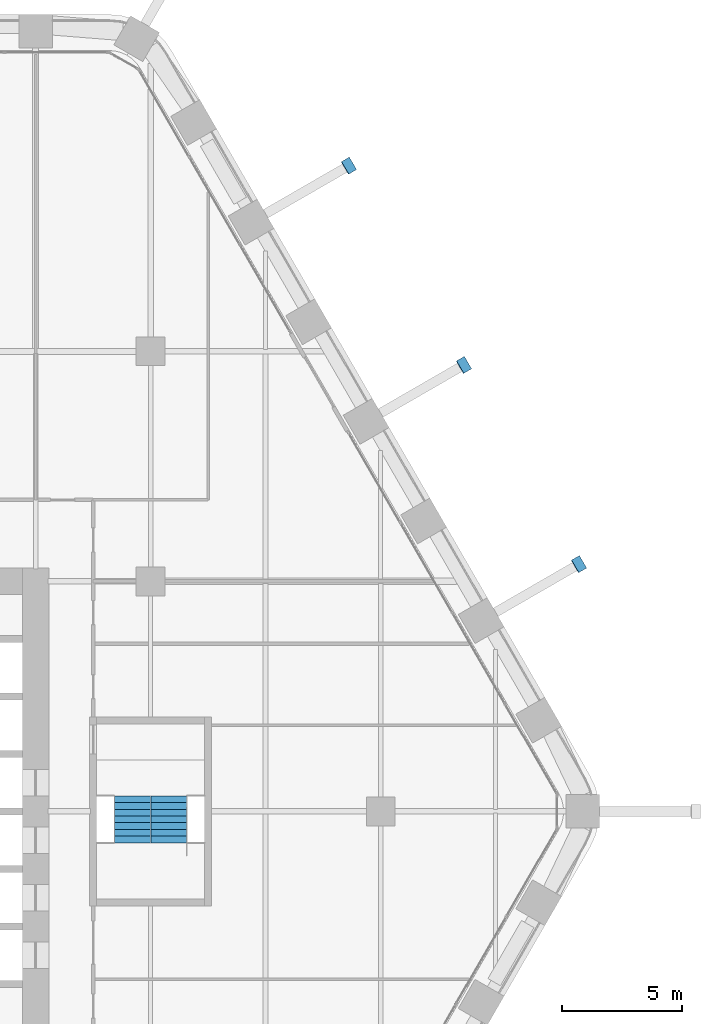
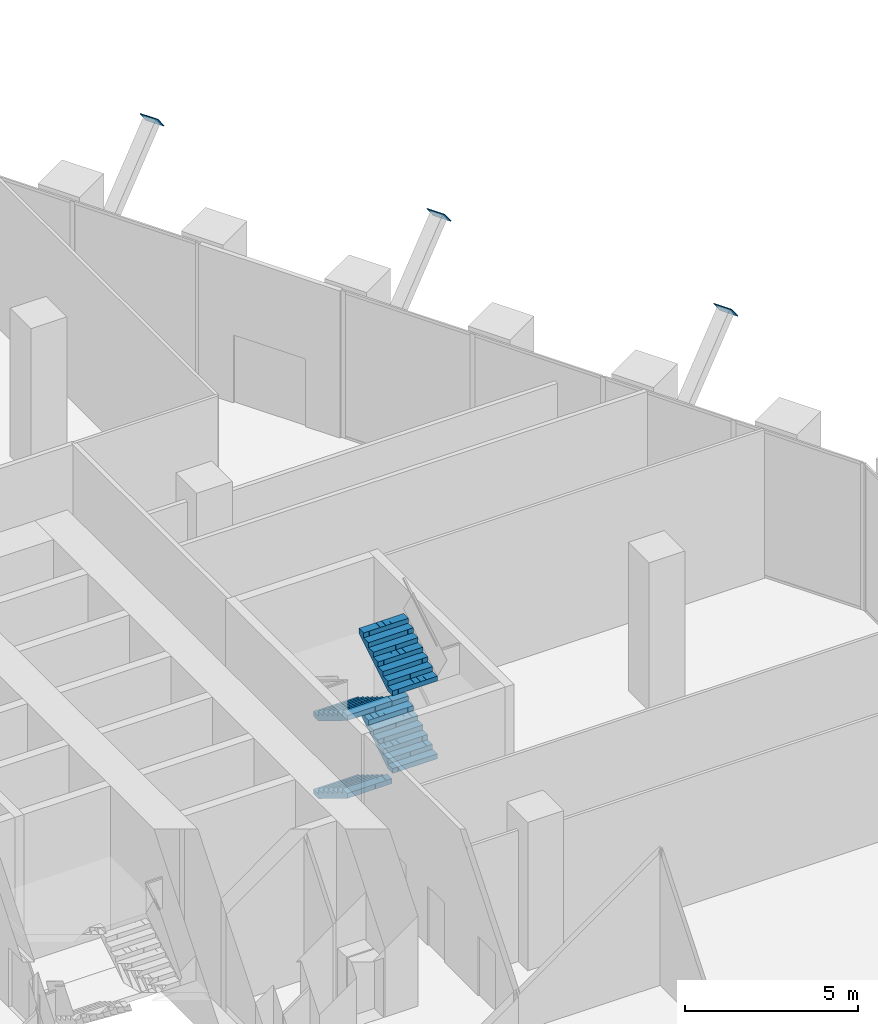
# One storey, part 25 of 29: 4 stair flights, 3 discrete accessories, 1 element without a shape of its own.
"""IFC4 building model written with IfcOpenShell, lengths in metres."""

from ifc_helpers import new_model, si_unit, direction, frame, origin, origin_2d, place, context, subcontext, project, spatial, polyline, rectangle, outline, extrude, material, type_object, element, aggregate, save


model = new_model("IFC4")

# Units and contexts
model_context = context("Model", 3, precision=1e-05, world=origin(), true_north=direction((0.0, 1.0)))
body_context = subcontext(model_context, "Body", "Model", "MODEL_VIEW")
ifc_project = project(units=[si_unit("LENGTHUNIT", "METRE"), si_unit("AREAUNIT", "SQUARE_METRE"), si_unit("VOLUMEUNIT", "CUBIC_METRE"), si_unit("PLANEANGLEUNIT", "RADIAN"), si_unit("MASSUNIT", "GRAM", prefix="KILO")], contexts=[model_context])

# Site, building, storey
site_placement = place(None, origin())
site = spatial("IfcSite", under=ifc_project, at=site_placement, CompositionType="ELEMENT")
building_placement = place(site_placement, origin())
building = spatial("IfcBuilding", under=site, at=building_placement, Name="Kolab Exchange Tower", CompositionType="ELEMENT")
storey_placement = place(building_placement, frame((0.0, 0.0, 33.39990234375)))
storey = spatial("IfcBuildingStorey", under=building, at=storey_placement, Name="L06", CompositionType="ELEMENT", Elevation=33.39990234375)

# Stair, stair flights
ifc_material = material(Name="Concrete C50/60", Category="concrete")
stair_type = type_object("IfcStairType", Name="STAIR ST4 RISER 171.9", PredefinedType="DOUBLE_RETURN_STAIR", material=ifc_material)
stair_placement = place(storey_placement, origin())
stair = element("IfcStair", 1, at=stair_placement, inside=storey, type_object=stair_type, Name="Stair 4", PredefinedType="DOUBLE_RETURN_STAIR")
stair_flight_type = type_object("IfcStairFlightType", Name="STAIR FLIGHT 1500 RISER 171.9", PredefinedType="STRAIGHT", material=ifc_material)
stair_flight_1_placement = place(storey_placement, frame((18.43994140625, 0.64990234375, 0.0), z_axis=(0.0, 0.0, 1.0), x_axis=(0.0, -1.0, 0.0)))
stair_flight_1 = element("IfcStairFlight", 2, at=stair_flight_1_placement, type_object=stair_flight_type, Name="ST4 flight 1", NumberOfRisers=8, NumberOfTreads=7, PredefinedType="STRAIGHT", RiserHeight=0.171875, TreadLength=0.28, context=body_context, shape_type="SweptSolid", body=[
    extrude(outline(polyline([(0.0, 0.0), (0.0, 0.171875), (0.280029296875, 0.171875), (0.280029296875, 0.34375), (0.56005859375, 0.34375), (0.56005859375, 0.515625), (0.840087890625, 0.515625), (0.840087890625, 0.6875), (1.1201171875, 0.6875), (1.1201171875, 0.859375), (1.39990234375, 0.859375), (1.39990234375, 1.03125), (1.679931640625, 1.03125), (1.679931640625, 1.203125), (1.9599609375, 1.203125), (1.9599609375, 1.375), (1.9599609375, 1.02734375), (0.28662109375, 0.0), (0.0, 0.0)])), frame((0.0, 0.75, 0.0), z_axis=(0.0, -1.0, 0.0), x_axis=(1.0, 0.0, 0.0)), (0.0, 0.0, 1.0), 0.185791015625),
    extrude(outline(polyline([(0.0, 0.0), (0.0, 0.171875), (0.280029296875, 0.171875), (0.280029296875, 0.34375), (0.56005859375, 0.34375), (0.56005859375, 0.515625), (0.840087890625, 0.515625), (0.840087890625, 0.6875), (1.1201171875, 0.6875), (1.1201171875, 0.859375), (1.39990234375, 0.859375), (1.39990234375, 1.03125), (1.679931640625, 1.03125), (1.679931640625, 1.203125), (1.9599609375, 1.203125), (1.9599609375, 1.375), (1.9599609375, 1.02734375), (0.28662109375, 0.0), (0.0, 0.0)])), frame((0.0, 0.562255859375, 0.0), z_axis=(0.0, -1.0, 0.0), x_axis=(1.0, 0.0, 0.0)), (0.0, 0.0, 1.0), 0.185791015625),
    extrude(outline(polyline([(0.0, 0.0), (0.0, 0.171875), (0.280029296875, 0.171875), (0.280029296875, 0.34375), (0.56005859375, 0.34375), (0.56005859375, 0.515625), (0.840087890625, 0.515625), (0.840087890625, 0.6875), (1.1201171875, 0.6875), (1.1201171875, 0.859375), (1.39990234375, 0.859375), (1.39990234375, 1.03125), (1.679931640625, 1.03125), (1.679931640625, 1.203125), (1.9599609375, 1.203125), (1.9599609375, 1.375), (1.9599609375, 1.02734375), (0.28662109375, 0.0), (0.0, 0.0)])), frame((0.0, 0.37451171875, 0.0), z_axis=(0.0, -1.0, 0.0), x_axis=(1.0, 0.0, 0.0)), (0.0, 0.0, 1.0), 0.185791015625),
    extrude(outline(polyline([(0.0, 0.0), (0.0, 0.171875), (0.280029296875, 0.171875), (0.280029296875, 0.34375), (0.56005859375, 0.34375), (0.56005859375, 0.515625), (0.840087890625, 0.515625), (0.840087890625, 0.6875), (1.1201171875, 0.6875), (1.1201171875, 0.859375), (1.39990234375, 0.859375), (1.39990234375, 1.03125), (1.679931640625, 1.03125), (1.679931640625, 1.203125), (1.9599609375, 1.203125), (1.9599609375, 1.375), (1.9599609375, 1.02734375), (0.28662109375, 0.0), (0.0, 0.0)])), frame((0.0, 0.186767578125, 0.0), z_axis=(0.0, -1.0, 0.0), x_axis=(1.0, 0.0, 0.0)), (0.0, 0.0, 1.0), 0.185791015625),
    extrude(outline(polyline([(0.0, 0.0), (0.0, 0.171875), (0.280029296875, 0.171875), (0.280029296875, 0.34375), (0.56005859375, 0.34375), (0.56005859375, 0.515625), (0.840087890625, 0.515625), (0.840087890625, 0.6875), (1.1201171875, 0.6875), (1.1201171875, 0.859375), (1.39990234375, 0.859375), (1.39990234375, 1.03125), (1.679931640625, 1.03125), (1.679931640625, 1.203125), (1.9599609375, 1.203125), (1.9599609375, 1.375), (1.9599609375, 1.02734375), (0.28662109375, 0.0), (0.0, 0.0)])), frame((0.0, -0.0009765625, 0.0), z_axis=(0.0, -1.0, 0.0), x_axis=(1.0, 0.0, 0.0)), (0.0, 0.0, 1.0), 0.185791015625),
    extrude(outline(polyline([(0.0, 0.0), (0.0, 0.171875), (0.280029296875, 0.171875), (0.280029296875, 0.34375), (0.56005859375, 0.34375), (0.56005859375, 0.515625), (0.840087890625, 0.515625), (0.840087890625, 0.6875), (1.1201171875, 0.6875), (1.1201171875, 0.859375), (1.39990234375, 0.859375), (1.39990234375, 1.03125), (1.679931640625, 1.03125), (1.679931640625, 1.203125), (1.9599609375, 1.203125), (1.9599609375, 1.375), (1.9599609375, 1.02734375), (0.28662109375, 0.0), (0.0, 0.0)])), frame((0.0, -0.188720703125, 0.0), z_axis=(0.0, -1.0, 0.0), x_axis=(1.0, 0.0, 0.0)), (0.0, 0.0, 1.0), 0.185791015625),
    extrude(outline(polyline([(0.0, 0.0), (0.0, 0.171875), (0.280029296875, 0.171875), (0.280029296875, 0.34375), (0.56005859375, 0.34375), (0.56005859375, 0.515625), (0.840087890625, 0.515625), (0.840087890625, 0.6875), (1.1201171875, 0.6875), (1.1201171875, 0.859375), (1.39990234375, 0.859375), (1.39990234375, 1.03125), (1.679931640625, 1.03125), (1.679931640625, 1.203125), (1.9599609375, 1.203125), (1.9599609375, 1.375), (1.9599609375, 1.02734375), (0.28662109375, 0.0), (0.0, 0.0)])), frame((0.0, -0.37646484375, 0.0), z_axis=(0.0, -1.0, 0.0), x_axis=(1.0, 0.0, 0.0)), (0.0, 0.0, 1.0), 0.185791015625),
    extrude(outline(polyline([(0.0, 0.0), (0.0, 0.171875), (0.280029296875, 0.171875), (0.280029296875, 0.34375), (0.56005859375, 0.34375), (0.56005859375, 0.515625), (0.840087890625, 0.515625), (0.840087890625, 0.6875), (1.1201171875, 0.6875), (1.1201171875, 0.859375), (1.39990234375, 0.859375), (1.39990234375, 1.03125), (1.679931640625, 1.03125), (1.679931640625, 1.203125), (1.9599609375, 1.203125), (1.9599609375, 1.375), (1.9599609375, 1.02734375), (0.28662109375, 0.0), (0.0, 0.0)])), frame((0.0, -0.564208984375, 0.0), z_axis=(0.0, -1.0, 0.0), x_axis=(1.0, 0.0, 0.0)), (0.0, 0.0, 1.0), 0.185791015625),
])
stair_flight_2_placement = place(storey_placement, frame((19.9599609375, -1.31005859375, 1.375), z_axis=(0.0, 0.0, 1.0), x_axis=(0.0, 1.0, 0.0)))
stair_flight_2 = element("IfcStairFlight", 3, at=stair_flight_2_placement, type_object=stair_flight_type, Name="ST4 flight 2", NumberOfRisers=8, NumberOfTreads=7, PredefinedType="STRAIGHT", RiserHeight=0.171875, TreadLength=0.28, context=body_context, shape_type="SweptSolid", body=[
    extrude(outline(polyline([(0.0, 0.0), (0.0, 0.171875), (0.280029296875, 0.171875), (0.280029296875, 0.34375), (0.56005859375, 0.34375), (0.56005859375, 0.515625), (0.840087890625, 0.515625), (0.840087890625, 0.6875), (1.1201171875, 0.6875), (1.1201171875, 0.859375), (1.39990234375, 0.859375), (1.39990234375, 1.03125), (1.679931640625, 1.03125), (1.679931640625, 1.203125), (1.9599609375, 1.203125), (1.9599609375, 1.375), (1.9599609375, 1.02734375), (0.28662109375, 0.0), (0.0, 0.0)])), frame((0.0, 0.75, 0.0), z_axis=(0.0, -1.0, 0.0), x_axis=(1.0, 0.0, 0.0)), (0.0, 0.0, 1.0), 0.185791015625),
    extrude(outline(polyline([(0.0, 0.0), (0.0, 0.171875), (0.280029296875, 0.171875), (0.280029296875, 0.34375), (0.56005859375, 0.34375), (0.56005859375, 0.515625), (0.840087890625, 0.515625), (0.840087890625, 0.6875), (1.1201171875, 0.6875), (1.1201171875, 0.859375), (1.39990234375, 0.859375), (1.39990234375, 1.03125), (1.679931640625, 1.03125), (1.679931640625, 1.203125), (1.9599609375, 1.203125), (1.9599609375, 1.375), (1.9599609375, 1.02734375), (0.28662109375, 0.0), (0.0, 0.0)])), frame((0.0, 0.562255859375, 0.0), z_axis=(0.0, -1.0, 0.0), x_axis=(1.0, 0.0, 0.0)), (0.0, 0.0, 1.0), 0.185791015625),
    extrude(outline(polyline([(0.0, 0.0), (0.0, 0.171875), (0.280029296875, 0.171875), (0.280029296875, 0.34375), (0.56005859375, 0.34375), (0.56005859375, 0.515625), (0.840087890625, 0.515625), (0.840087890625, 0.6875), (1.1201171875, 0.6875), (1.1201171875, 0.859375), (1.39990234375, 0.859375), (1.39990234375, 1.03125), (1.679931640625, 1.03125), (1.679931640625, 1.203125), (1.9599609375, 1.203125), (1.9599609375, 1.375), (1.9599609375, 1.02734375), (0.28662109375, 0.0), (0.0, 0.0)])), frame((0.0, 0.37451171875, 0.0), z_axis=(0.0, -1.0, 0.0), x_axis=(1.0, 0.0, 0.0)), (0.0, 0.0, 1.0), 0.185791015625),
    extrude(outline(polyline([(0.0, 0.0), (0.0, 0.171875), (0.280029296875, 0.171875), (0.280029296875, 0.34375), (0.56005859375, 0.34375), (0.56005859375, 0.515625), (0.840087890625, 0.515625), (0.840087890625, 0.6875), (1.1201171875, 0.6875), (1.1201171875, 0.859375), (1.39990234375, 0.859375), (1.39990234375, 1.03125), (1.679931640625, 1.03125), (1.679931640625, 1.203125), (1.9599609375, 1.203125), (1.9599609375, 1.375), (1.9599609375, 1.02734375), (0.28662109375, 0.0), (0.0, 0.0)])), frame((0.0, 0.186767578125, 0.0), z_axis=(0.0, -1.0, 0.0), x_axis=(1.0, 0.0, 0.0)), (0.0, 0.0, 1.0), 0.185791015625),
    extrude(outline(polyline([(0.0, 0.0), (0.0, 0.171875), (0.280029296875, 0.171875), (0.280029296875, 0.34375), (0.56005859375, 0.34375), (0.56005859375, 0.515625), (0.840087890625, 0.515625), (0.840087890625, 0.6875), (1.1201171875, 0.6875), (1.1201171875, 0.859375), (1.39990234375, 0.859375), (1.39990234375, 1.03125), (1.679931640625, 1.03125), (1.679931640625, 1.203125), (1.9599609375, 1.203125), (1.9599609375, 1.375), (1.9599609375, 1.02734375), (0.28662109375, 0.0), (0.0, 0.0)])), frame((0.0, -0.0009765625, 0.0), z_axis=(0.0, -1.0, 0.0), x_axis=(1.0, 0.0, 0.0)), (0.0, 0.0, 1.0), 0.185791015625),
    extrude(outline(polyline([(0.0, 0.0), (0.0, 0.171875), (0.280029296875, 0.171875), (0.280029296875, 0.34375), (0.56005859375, 0.34375), (0.56005859375, 0.515625), (0.840087890625, 0.515625), (0.840087890625, 0.6875), (1.1201171875, 0.6875), (1.1201171875, 0.859375), (1.39990234375, 0.859375), (1.39990234375, 1.03125), (1.679931640625, 1.03125), (1.679931640625, 1.203125), (1.9599609375, 1.203125), (1.9599609375, 1.375), (1.9599609375, 1.02734375), (0.28662109375, 0.0), (0.0, 0.0)])), frame((0.0, -0.188720703125, 0.0), z_axis=(0.0, -1.0, 0.0), x_axis=(1.0, 0.0, 0.0)), (0.0, 0.0, 1.0), 0.185791015625),
    extrude(outline(polyline([(0.0, 0.0), (0.0, 0.171875), (0.280029296875, 0.171875), (0.280029296875, 0.34375), (0.56005859375, 0.34375), (0.56005859375, 0.515625), (0.840087890625, 0.515625), (0.840087890625, 0.6875), (1.1201171875, 0.6875), (1.1201171875, 0.859375), (1.39990234375, 0.859375), (1.39990234375, 1.03125), (1.679931640625, 1.03125), (1.679931640625, 1.203125), (1.9599609375, 1.203125), (1.9599609375, 1.375), (1.9599609375, 1.02734375), (0.28662109375, 0.0), (0.0, 0.0)])), frame((0.0, -0.37646484375, 0.0), z_axis=(0.0, -1.0, 0.0), x_axis=(1.0, 0.0, 0.0)), (0.0, 0.0, 1.0), 0.185791015625),
    extrude(outline(polyline([(0.0, 0.0), (0.0, 0.171875), (0.280029296875, 0.171875), (0.280029296875, 0.34375), (0.56005859375, 0.34375), (0.56005859375, 0.515625), (0.840087890625, 0.515625), (0.840087890625, 0.6875), (1.1201171875, 0.6875), (1.1201171875, 0.859375), (1.39990234375, 0.859375), (1.39990234375, 1.03125), (1.679931640625, 1.03125), (1.679931640625, 1.203125), (1.9599609375, 1.203125), (1.9599609375, 1.375), (1.9599609375, 1.02734375), (0.28662109375, 0.0), (0.0, 0.0)])), frame((0.0, -0.564208984375, 0.0), z_axis=(0.0, -1.0, 0.0), x_axis=(1.0, 0.0, 0.0)), (0.0, 0.0, 1.0), 0.185791015625),
])
stair_flight_3_placement = place(storey_placement, frame((18.43994140625, 0.64990234375, 2.75), z_axis=(0.0, 0.0, 1.0), x_axis=(0.0, -1.0, 0.0)))
stair_flight_3 = element("IfcStairFlight", 4, at=stair_flight_3_placement, type_object=stair_flight_type, Name="ST4 flight 3", NumberOfRisers=8, NumberOfTreads=7, PredefinedType="STRAIGHT", RiserHeight=0.171875, TreadLength=0.28, context=body_context, shape_type="SweptSolid", body=[
    extrude(outline(polyline([(0.0, 0.0), (0.0, 0.171875), (0.280029296875, 0.171875), (0.280029296875, 0.34375), (0.56005859375, 0.34375), (0.56005859375, 0.515625), (0.840087890625, 0.515625), (0.840087890625, 0.6875), (1.1201171875, 0.6875), (1.1201171875, 0.859375), (1.39990234375, 0.859375), (1.39990234375, 1.03125), (1.679931640625, 1.03125), (1.679931640625, 1.203125), (1.9599609375, 1.203125), (1.9599609375, 1.375), (1.9599609375, 1.02734375), (0.28662109375, 0.0), (0.0, 0.0)])), frame((0.0, 0.75, 0.0), z_axis=(0.0, -1.0, 0.0), x_axis=(1.0, 0.0, 0.0)), (0.0, 0.0, 1.0), 0.185791015625),
    extrude(outline(polyline([(0.0, 0.0), (0.0, 0.171875), (0.280029296875, 0.171875), (0.280029296875, 0.34375), (0.56005859375, 0.34375), (0.56005859375, 0.515625), (0.840087890625, 0.515625), (0.840087890625, 0.6875), (1.1201171875, 0.6875), (1.1201171875, 0.859375), (1.39990234375, 0.859375), (1.39990234375, 1.03125), (1.679931640625, 1.03125), (1.679931640625, 1.203125), (1.9599609375, 1.203125), (1.9599609375, 1.375), (1.9599609375, 1.02734375), (0.28662109375, 0.0), (0.0, 0.0)])), frame((0.0, 0.562255859375, 0.0), z_axis=(0.0, -1.0, 0.0), x_axis=(1.0, 0.0, 0.0)), (0.0, 0.0, 1.0), 0.185791015625),
    extrude(outline(polyline([(0.0, 0.0), (0.0, 0.171875), (0.280029296875, 0.171875), (0.280029296875, 0.34375), (0.56005859375, 0.34375), (0.56005859375, 0.515625), (0.840087890625, 0.515625), (0.840087890625, 0.6875), (1.1201171875, 0.6875), (1.1201171875, 0.859375), (1.39990234375, 0.859375), (1.39990234375, 1.03125), (1.679931640625, 1.03125), (1.679931640625, 1.203125), (1.9599609375, 1.203125), (1.9599609375, 1.375), (1.9599609375, 1.02734375), (0.28662109375, 0.0), (0.0, 0.0)])), frame((0.0, 0.37451171875, 0.0), z_axis=(0.0, -1.0, 0.0), x_axis=(1.0, 0.0, 0.0)), (0.0, 0.0, 1.0), 0.185791015625),
    extrude(outline(polyline([(0.0, 0.0), (0.0, 0.171875), (0.280029296875, 0.171875), (0.280029296875, 0.34375), (0.56005859375, 0.34375), (0.56005859375, 0.515625), (0.840087890625, 0.515625), (0.840087890625, 0.6875), (1.1201171875, 0.6875), (1.1201171875, 0.859375), (1.39990234375, 0.859375), (1.39990234375, 1.03125), (1.679931640625, 1.03125), (1.679931640625, 1.203125), (1.9599609375, 1.203125), (1.9599609375, 1.375), (1.9599609375, 1.02734375), (0.28662109375, 0.0), (0.0, 0.0)])), frame((0.0, 0.186767578125, 0.0), z_axis=(0.0, -1.0, 0.0), x_axis=(1.0, 0.0, 0.0)), (0.0, 0.0, 1.0), 0.185791015625),
    extrude(outline(polyline([(0.0, 0.0), (0.0, 0.171875), (0.280029296875, 0.171875), (0.280029296875, 0.34375), (0.56005859375, 0.34375), (0.56005859375, 0.515625), (0.840087890625, 0.515625), (0.840087890625, 0.6875), (1.1201171875, 0.6875), (1.1201171875, 0.859375), (1.39990234375, 0.859375), (1.39990234375, 1.03125), (1.679931640625, 1.03125), (1.679931640625, 1.203125), (1.9599609375, 1.203125), (1.9599609375, 1.375), (1.9599609375, 1.02734375), (0.28662109375, 0.0), (0.0, 0.0)])), frame((0.0, -0.0009765625, 0.0), z_axis=(0.0, -1.0, 0.0), x_axis=(1.0, 0.0, 0.0)), (0.0, 0.0, 1.0), 0.185791015625),
    extrude(outline(polyline([(0.0, 0.0), (0.0, 0.171875), (0.280029296875, 0.171875), (0.280029296875, 0.34375), (0.56005859375, 0.34375), (0.56005859375, 0.515625), (0.840087890625, 0.515625), (0.840087890625, 0.6875), (1.1201171875, 0.6875), (1.1201171875, 0.859375), (1.39990234375, 0.859375), (1.39990234375, 1.03125), (1.679931640625, 1.03125), (1.679931640625, 1.203125), (1.9599609375, 1.203125), (1.9599609375, 1.375), (1.9599609375, 1.02734375), (0.28662109375, 0.0), (0.0, 0.0)])), frame((0.0, -0.188720703125, 0.0), z_axis=(0.0, -1.0, 0.0), x_axis=(1.0, 0.0, 0.0)), (0.0, 0.0, 1.0), 0.185791015625),
    extrude(outline(polyline([(0.0, 0.0), (0.0, 0.171875), (0.280029296875, 0.171875), (0.280029296875, 0.34375), (0.56005859375, 0.34375), (0.56005859375, 0.515625), (0.840087890625, 0.515625), (0.840087890625, 0.6875), (1.1201171875, 0.6875), (1.1201171875, 0.859375), (1.39990234375, 0.859375), (1.39990234375, 1.03125), (1.679931640625, 1.03125), (1.679931640625, 1.203125), (1.9599609375, 1.203125), (1.9599609375, 1.375), (1.9599609375, 1.02734375), (0.28662109375, 0.0), (0.0, 0.0)])), frame((0.0, -0.37646484375, 0.0), z_axis=(0.0, -1.0, 0.0), x_axis=(1.0, 0.0, 0.0)), (0.0, 0.0, 1.0), 0.185791015625),
    extrude(outline(polyline([(0.0, 0.0), (0.0, 0.171875), (0.280029296875, 0.171875), (0.280029296875, 0.34375), (0.56005859375, 0.34375), (0.56005859375, 0.515625), (0.840087890625, 0.515625), (0.840087890625, 0.6875), (1.1201171875, 0.6875), (1.1201171875, 0.859375), (1.39990234375, 0.859375), (1.39990234375, 1.03125), (1.679931640625, 1.03125), (1.679931640625, 1.203125), (1.9599609375, 1.203125), (1.9599609375, 1.375), (1.9599609375, 1.02734375), (0.28662109375, 0.0), (0.0, 0.0)])), frame((0.0, -0.564208984375, 0.0), z_axis=(0.0, -1.0, 0.0), x_axis=(1.0, 0.0, 0.0)), (0.0, 0.0, 1.0), 0.185791015625),
])
stair_flight_4_placement = place(storey_placement, frame((19.9599609375, -1.31005859375, 4.125), z_axis=(0.0, 0.0, 1.0), x_axis=(0.0, 1.0, 0.0)))
stair_flight_4 = element("IfcStairFlight", 5, at=stair_flight_4_placement, type_object=stair_flight_type, Name="ST4 flight 4", NumberOfRisers=8, NumberOfTreads=7, PredefinedType="STRAIGHT", RiserHeight=0.171875, TreadLength=0.28, context=body_context, shape_type="SweptSolid", body=[
    extrude(outline(polyline([(0.0, 0.0), (0.0, 0.171875), (0.280029296875, 0.171875), (0.280029296875, 0.34375), (0.56005859375, 0.34375), (0.56005859375, 0.515625), (0.840087890625, 0.515625), (0.840087890625, 0.6875), (1.1201171875, 0.6875), (1.1201171875, 0.859375), (1.39990234375, 0.859375), (1.39990234375, 1.03125), (1.679931640625, 1.03125), (1.679931640625, 1.203125), (1.9599609375, 1.203125), (1.9599609375, 1.375), (1.9599609375, 1.02734375), (0.28662109375, 0.0), (0.0, 0.0)])), frame((0.0, 0.75, 0.0), z_axis=(0.0, -1.0, 0.0), x_axis=(1.0, 0.0, 0.0)), (0.0, 0.0, 1.0), 0.185791015625),
    extrude(outline(polyline([(0.0, 0.0), (0.0, 0.171875), (0.280029296875, 0.171875), (0.280029296875, 0.34375), (0.56005859375, 0.34375), (0.56005859375, 0.515625), (0.840087890625, 0.515625), (0.840087890625, 0.6875), (1.1201171875, 0.6875), (1.1201171875, 0.859375), (1.39990234375, 0.859375), (1.39990234375, 1.03125), (1.679931640625, 1.03125), (1.679931640625, 1.203125), (1.9599609375, 1.203125), (1.9599609375, 1.375), (1.9599609375, 1.02734375), (0.28662109375, 0.0), (0.0, 0.0)])), frame((0.0, 0.562255859375, 0.0), z_axis=(0.0, -1.0, 0.0), x_axis=(1.0, 0.0, 0.0)), (0.0, 0.0, 1.0), 0.185791015625),
    extrude(outline(polyline([(0.0, 0.0), (0.0, 0.171875), (0.280029296875, 0.171875), (0.280029296875, 0.34375), (0.56005859375, 0.34375), (0.56005859375, 0.515625), (0.840087890625, 0.515625), (0.840087890625, 0.6875), (1.1201171875, 0.6875), (1.1201171875, 0.859375), (1.39990234375, 0.859375), (1.39990234375, 1.03125), (1.679931640625, 1.03125), (1.679931640625, 1.203125), (1.9599609375, 1.203125), (1.9599609375, 1.375), (1.9599609375, 1.02734375), (0.28662109375, 0.0), (0.0, 0.0)])), frame((0.0, 0.37451171875, 0.0), z_axis=(0.0, -1.0, 0.0), x_axis=(1.0, 0.0, 0.0)), (0.0, 0.0, 1.0), 0.185791015625),
    extrude(outline(polyline([(0.0, 0.0), (0.0, 0.171875), (0.280029296875, 0.171875), (0.280029296875, 0.34375), (0.56005859375, 0.34375), (0.56005859375, 0.515625), (0.840087890625, 0.515625), (0.840087890625, 0.6875), (1.1201171875, 0.6875), (1.1201171875, 0.859375), (1.39990234375, 0.859375), (1.39990234375, 1.03125), (1.679931640625, 1.03125), (1.679931640625, 1.203125), (1.9599609375, 1.203125), (1.9599609375, 1.375), (1.9599609375, 1.02734375), (0.28662109375, 0.0), (0.0, 0.0)])), frame((0.0, 0.186767578125, 0.0), z_axis=(0.0, -1.0, 0.0), x_axis=(1.0, 0.0, 0.0)), (0.0, 0.0, 1.0), 0.185791015625),
    extrude(outline(polyline([(0.0, 0.0), (0.0, 0.171875), (0.280029296875, 0.171875), (0.280029296875, 0.34375), (0.56005859375, 0.34375), (0.56005859375, 0.515625), (0.840087890625, 0.515625), (0.840087890625, 0.6875), (1.1201171875, 0.6875), (1.1201171875, 0.859375), (1.39990234375, 0.859375), (1.39990234375, 1.03125), (1.679931640625, 1.03125), (1.679931640625, 1.203125), (1.9599609375, 1.203125), (1.9599609375, 1.375), (1.9599609375, 1.02734375), (0.28662109375, 0.0), (0.0, 0.0)])), frame((0.0, -0.0009765625, 0.0), z_axis=(0.0, -1.0, 0.0), x_axis=(1.0, 0.0, 0.0)), (0.0, 0.0, 1.0), 0.185791015625),
    extrude(outline(polyline([(0.0, 0.0), (0.0, 0.171875), (0.280029296875, 0.171875), (0.280029296875, 0.34375), (0.56005859375, 0.34375), (0.56005859375, 0.515625), (0.840087890625, 0.515625), (0.840087890625, 0.6875), (1.1201171875, 0.6875), (1.1201171875, 0.859375), (1.39990234375, 0.859375), (1.39990234375, 1.03125), (1.679931640625, 1.03125), (1.679931640625, 1.203125), (1.9599609375, 1.203125), (1.9599609375, 1.375), (1.9599609375, 1.02734375), (0.28662109375, 0.0), (0.0, 0.0)])), frame((0.0, -0.188720703125, 0.0), z_axis=(0.0, -1.0, 0.0), x_axis=(1.0, 0.0, 0.0)), (0.0, 0.0, 1.0), 0.185791015625),
    extrude(outline(polyline([(0.0, 0.0), (0.0, 0.171875), (0.280029296875, 0.171875), (0.280029296875, 0.34375), (0.56005859375, 0.34375), (0.56005859375, 0.515625), (0.840087890625, 0.515625), (0.840087890625, 0.6875), (1.1201171875, 0.6875), (1.1201171875, 0.859375), (1.39990234375, 0.859375), (1.39990234375, 1.03125), (1.679931640625, 1.03125), (1.679931640625, 1.203125), (1.9599609375, 1.203125), (1.9599609375, 1.375), (1.9599609375, 1.02734375), (0.28662109375, 0.0), (0.0, 0.0)])), frame((0.0, -0.37646484375, 0.0), z_axis=(0.0, -1.0, 0.0), x_axis=(1.0, 0.0, 0.0)), (0.0, 0.0, 1.0), 0.185791015625),
    extrude(outline(polyline([(0.0, 0.0), (0.0, 0.171875), (0.280029296875, 0.171875), (0.280029296875, 0.34375), (0.56005859375, 0.34375), (0.56005859375, 0.515625), (0.840087890625, 0.515625), (0.840087890625, 0.6875), (1.1201171875, 0.6875), (1.1201171875, 0.859375), (1.39990234375, 0.859375), (1.39990234375, 1.03125), (1.679931640625, 1.03125), (1.679931640625, 1.203125), (1.9599609375, 1.203125), (1.9599609375, 1.375), (1.9599609375, 1.02734375), (0.28662109375, 0.0), (0.0, 0.0)])), frame((0.0, -0.564208984375, 0.0), z_axis=(0.0, -1.0, 0.0), x_axis=(1.0, 0.0, 0.0)), (0.0, 0.0, 1.0), 0.185791015625),
])
aggregate(stair, [stair_flight_1, stair_flight_2, stair_flight_3, stair_flight_4])

# Discrete accessories
discrete_accessory_placement = place(storey_placement, frame((27.464111328125, 26.94140625, 4.468017578125), z_axis=(0.672155866749, 0.3993969643, 0.623448919883), x_axis=(-0.510826591194, 0.859683775425, 0.0)))
element("IfcDiscreteAccessory", 6, at=discrete_accessory_placement, inside=storey, Name="Gusset plate", ObjectType="GUSSET PLATE", PredefinedType="USERDEFINED", context=body_context, shape_type="SweptSolid", body=[
    extrude(rectangle(XDim=0.60009765625, YDim=0.60009765625, at=origin_2d()), origin(), (0.0, 0.0, 1.0), 0.025146484375),
])
for number, where, z_axis, x_axis, name in (
    (7, (32.26416015625, 18.627685546875, 4.468017578125), (0.674754107136, 0.391161801238, 0.625858881981), (-0.501530435632, 0.865140001465, 0.0), "Gusset plate"),
    (8, (37.064208984375, 10.313720703125, 4.468017578125), (0.674754107136, 0.391161801238, 0.625858881981), (-0.501530435632, 0.865140001465, 0.0), "Gusset plate"),
):
    element("IfcDiscreteAccessory", number, at=place(storey_placement, frame(where, z_axis=z_axis, x_axis=x_axis)), inside=storey, Name=name, ObjectType="GUSSET PLATE", PredefinedType="USERDEFINED", context=body_context, shape_type="SweptSolid", body=[
        extrude(rectangle(XDim=0.60009765625, YDim=0.60009765625, at=origin_2d()), origin(), (0.0, 0.0, 1.0), 0.02490234375),
    ])

save(model, "model.ifc")
